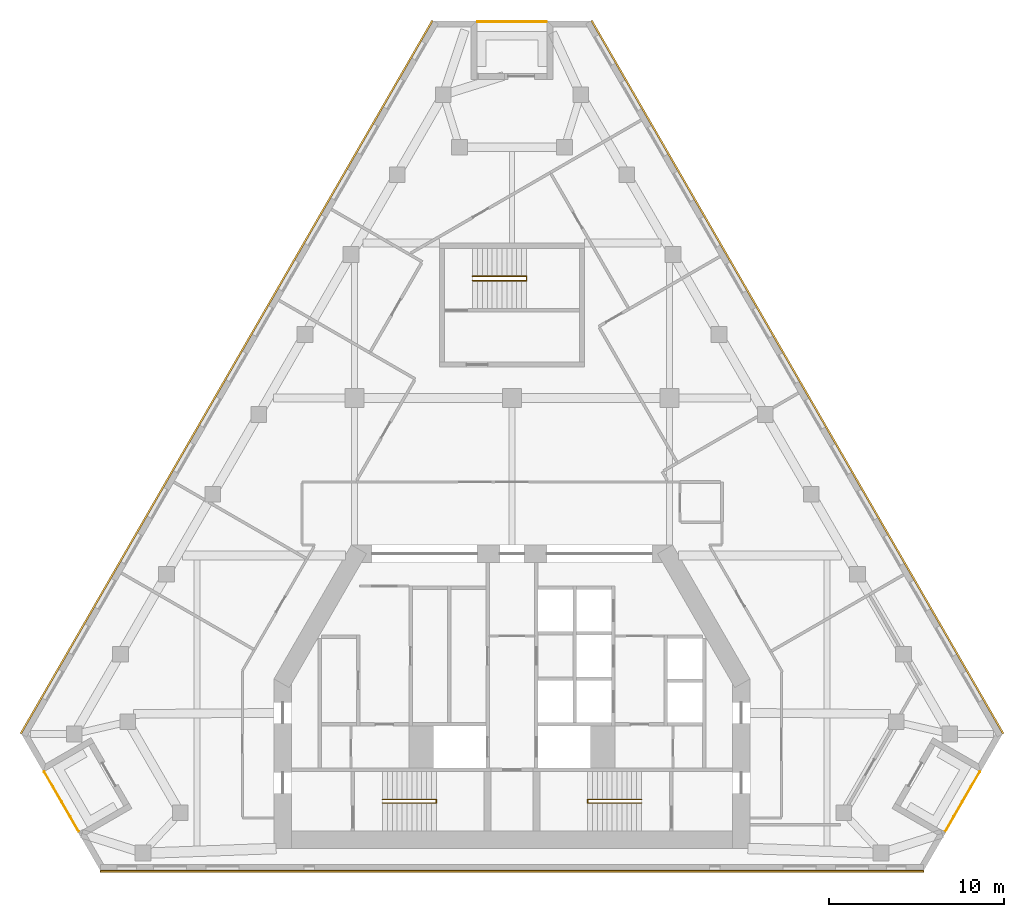
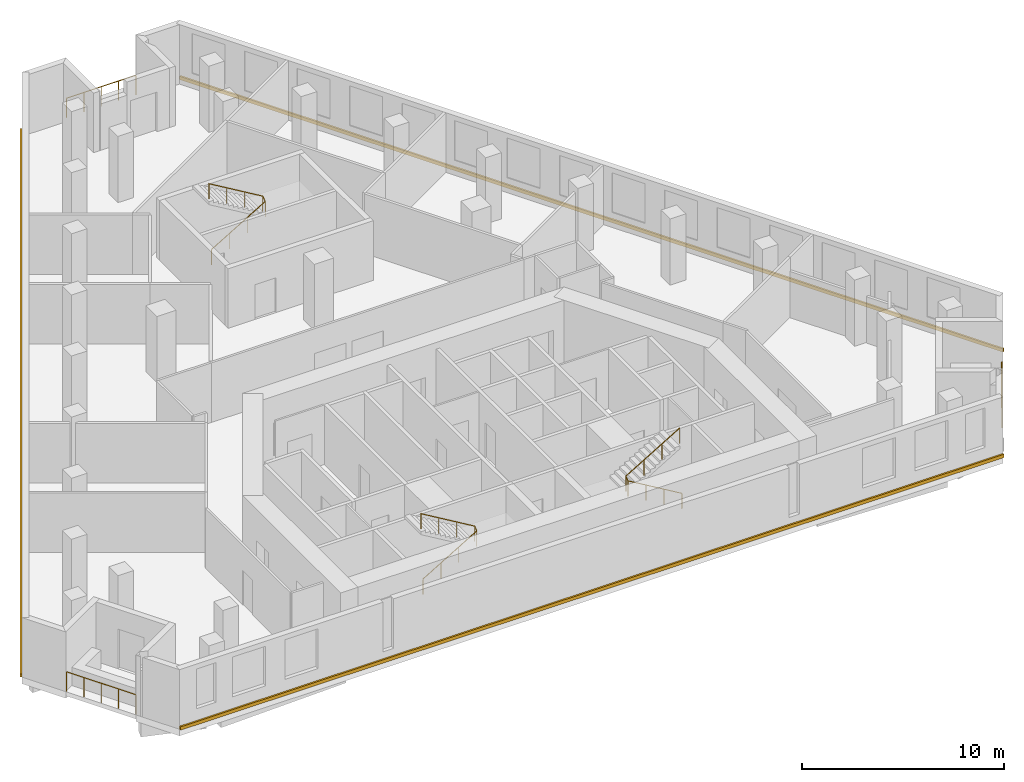
# One storey, part 9 of 9: 6 railings, 3 coverings.
"""IFC4 building model written with IfcOpenShell, lengths in metres."""

from ifc_helpers import new_model, si_unit, direction, frame, origin, origin_2d, place, context, subcontext, project, spatial, polyline, circle, outline, extrude, material, type_object, element, save


model = new_model("IFC4")

# Units and contexts
model_context = context("Model", 3, precision=1e-05, world=origin(), true_north=direction((0.0, 1.0)))
body_context = subcontext(model_context, "Body", "Model", "MODEL_VIEW")
ifc_project = project(units=[si_unit("LENGTHUNIT", "METRE"), si_unit("AREAUNIT", "SQUARE_METRE"), si_unit("VOLUMEUNIT", "CUBIC_METRE"), si_unit("PLANEANGLEUNIT", "RADIAN"), si_unit("MASSUNIT", "GRAM", prefix="KILO")], contexts=[model_context])

# Site, building, storey
site_placement = place(None, origin())
site = spatial("IfcSite", under=ifc_project, at=site_placement, CompositionType="ELEMENT")
building_placement = place(site_placement, origin())
building = spatial("IfcBuilding", under=site, at=building_placement, Name="Fogline Exchange Tower", CompositionType="ELEMENT")
storey_placement = place(building_placement, frame((0.0, 0.0, 182.10009765625)))
storey = spatial("IfcBuildingStorey", under=building, at=storey_placement, Name="L40", CompositionType="ELEMENT", Elevation=182.10009765625)

# Railings
ifc_material_1 = material(Name="Stainless steel 304", Category="steel")
railing_type_1 = type_object("IfcRailingType", Name="G1", PredefinedType="GUARDRAIL", material=ifc_material_1)
railing_1_placement = place(storey_placement, frame((-26.7275390625, 5.635986328125, 0.0)))
element("IfcRailing", 1, at=railing_1_placement, inside=storey, type_object=railing_type_1, Name="Balcony guard L40 SW", PredefinedType="GUARDRAIL", context=body_context, shape_type="SweptSolid", body=[
    extrude(circle(Radius=0.02392578125, at=origin_2d()), frame((0.0, 0.0, 1.17578125), z_axis=(0.500000102728, -0.866025344474, 0.0), x_axis=(0.866025344474, 0.500000102728, 0.0)), (0.0, 0.0, 1.0), 3.9580078125),
    extrude(circle(Radius=0.02099609375, at=origin_2d()), origin(), (0.0, 0.0, 1.0), 1.15185546875),
    extrude(circle(Radius=0.02099609375, at=origin_2d()), frame((0.49462890625, -0.85693359375, 0.0)), (0.0, 0.0, 1.0), 1.15185546875),
    extrude(circle(Radius=0.02099609375, at=origin_2d()), frame((0.989501953125, -1.7138671875, 0.0)), (0.0, 0.0, 1.0), 1.15185546875),
    extrude(circle(Radius=0.02099609375, at=origin_2d()), frame((1.484375, -2.57080078125, 0.0)), (0.0, 0.0, 1.0), 1.15185546875),
    extrude(circle(Radius=0.02099609375, at=origin_2d()), frame((1.97900390625, -3.427734375, 0.0)), (0.0, 0.0, 1.0), 1.15185546875),
])
railing_2_placement = place(storey_placement, frame((24.74853515625, 2.208251953125, 0.0)))
element("IfcRailing", 2, at=railing_2_placement, inside=storey, type_object=railing_type_1, Name="Balcony guard L40 SE", PredefinedType="GUARDRAIL", context=body_context, shape_type="SweptSolid", body=[
    extrude(circle(Radius=0.02392578125, at=origin_2d()), frame((0.0, 0.0, 1.17578125), z_axis=(0.500000102728, 0.866025344474, 0.0), x_axis=(-0.866025344474, 0.500000102728, 0.0)), (0.0, 0.0, 1.0), 3.9580078125),
    extrude(circle(Radius=0.02099609375, at=origin_2d()), origin(), (0.0, 0.0, 1.0), 1.15185546875),
    extrude(circle(Radius=0.02099609375, at=origin_2d()), frame((0.49462890625, 0.85693359375, 0.0)), (0.0, 0.0, 1.0), 1.15185546875),
    extrude(circle(Radius=0.02099609375, at=origin_2d()), frame((0.989501953125, 1.7138671875, 0.0)), (0.0, 0.0, 1.0), 1.15185546875),
    extrude(circle(Radius=0.02099609375, at=origin_2d()), frame((1.484375, 2.57080078125, 0.0)), (0.0, 0.0, 1.0), 1.15185546875),
    extrude(circle(Radius=0.02099609375, at=origin_2d()), frame((1.97900390625, 3.427734375, 0.0)), (0.0, 0.0, 1.0), 1.15185546875),
])
railing_3_placement = place(storey_placement, frame((1.97900390625, 48.501708984375, 0.0)))
element("IfcRailing", 3, at=railing_3_placement, inside=storey, type_object=railing_type_1, Name="Balcony guard L40 N", PredefinedType="GUARDRAIL", context=body_context, shape_type="SweptSolid", body=[
    extrude(circle(Radius=0.02392578125, at=origin_2d()), frame((0.0, 0.0, 1.17578125), z_axis=(-1.0, 0.0, 0.0), x_axis=(0.0, -1.0, 0.0)), (0.0, 0.0, 1.0), 3.9580078125),
    extrude(circle(Radius=0.02099609375, at=origin_2d()), origin(), (0.0, 0.0, 1.0), 1.15185546875),
    extrude(circle(Radius=0.02099609375, at=origin_2d()), frame((-0.989501953125, 0.0, 0.0)), (0.0, 0.0, 1.0), 1.15185546875),
    extrude(circle(Radius=0.02099609375, at=origin_2d()), frame((-1.97900390625, 0.0, 0.0)), (0.0, 0.0, 1.0), 1.15185546875),
    extrude(circle(Radius=0.02099609375, at=origin_2d()), frame((-2.968505859375, 0.0, 0.0)), (0.0, 0.0, 1.0), 1.15185546875),
    extrude(circle(Radius=0.02099609375, at=origin_2d()), frame((-3.9580078125, 0.0, 0.0)), (0.0, 0.0, 1.0), 1.15185546875),
])
ifc_material_2 = material(Name="Steel Q235B", Category="steel")
railing_type_2 = type_object("IfcRailingType", Name="RL-HR", PredefinedType="HANDRAIL", material=ifc_material_2)
railing_4_placement = place(storey_placement, frame((-7.39990234375, 3.85009765625, 0.16650390625)))
element("IfcRailing", 4, at=railing_4_placement, inside=storey, type_object=railing_type_2, Name="Handrail ST1", PredefinedType="HANDRAIL", context=body_context, shape_type="SweptSolid", body=[
    extrude(circle(Radius=0.02392578125, at=origin_2d()), frame((0.0, 0.0, 0.92578125), z_axis=(0.859260807169, 0.0, 0.511537745687), x_axis=(0.0, 1.0, 0.0)), (0.0, 0.0, 1.0), 3.584228515625),
    extrude(circle(Radius=0.02392578125, at=origin_2d()), frame((3.079833984375, 0.0, 2.75927734375), z_axis=(0.0, 0.768451954486, 0.639907488351), x_axis=(-1.0, 0.0, 0.0)), (0.0, 0.0, 1.0), 0.26025390625),
    extrude(circle(Radius=0.02392578125, at=origin_2d()), frame((3.079833984375, 0.199951171875, 2.92578125), z_axis=(-0.859260807169, 0.0, 0.511537745687), x_axis=(0.0, -1.0, 0.0)), (0.0, 0.0, 1.0), 3.584228515625),
    extrude(circle(Radius=0.02099609375, at=origin_2d()), origin(), (0.0, 0.0, 1.0), 0.90185546875),
    extrude(circle(Radius=0.02099609375, at=origin_2d()), frame((1.026611328125, 0.0, 0.611083984375)), (0.0, 0.0, 1.0), 0.90185546875),
    extrude(circle(Radius=0.02099609375, at=origin_2d()), frame((2.05322265625, 0.0, 1.222412109375)), (0.0, 0.0, 1.0), 0.90185546875),
    extrude(circle(Radius=0.02099609375, at=origin_2d()), frame((3.079833984375, 0.0, 1.83349609375)), (0.0, 0.0, 1.0), 0.90185546875),
    extrude(circle(Radius=0.02099609375, at=origin_2d()), frame((3.079833984375, 0.199951171875, 2.0)), (0.0, 0.0, 1.0), 0.90185546875),
    extrude(circle(Radius=0.02099609375, at=origin_2d()), frame((2.05322265625, 0.199951171875, 2.611083984375)), (0.0, 0.0, 1.0), 0.90185546875),
    extrude(circle(Radius=0.02099609375, at=origin_2d()), frame((1.026611328125, 0.199951171875, 3.222412109375)), (0.0, 0.0, 1.0), 0.90185546875),
    extrude(circle(Radius=0.02099609375, at=origin_2d()), frame((0.0, 0.199951171875, 3.83349609375)), (0.0, 0.0, 1.0), 0.90185546875),
])
railing_5_placement = place(storey_placement, frame((7.39990234375, 3.85009765625, 0.16650390625)))
element("IfcRailing", 5, at=railing_5_placement, inside=storey, type_object=railing_type_2, Name="Handrail ST2", PredefinedType="HANDRAIL", context=body_context, shape_type="SweptSolid", body=[
    extrude(circle(Radius=0.02392578125, at=origin_2d()), frame((0.0, 0.0, 0.92578125), z_axis=(-0.859260807169, 0.0, 0.511537745687), x_axis=(0.0, -1.0, 0.0)), (0.0, 0.0, 1.0), 3.584228515625),
    extrude(circle(Radius=0.02392578125, at=origin_2d()), frame((-3.079833984375, 0.0, 2.75927734375), z_axis=(0.0, 0.768451954486, 0.639907488351), x_axis=(-1.0, 0.0, 0.0)), (0.0, 0.0, 1.0), 0.26025390625),
    extrude(circle(Radius=0.02392578125, at=origin_2d()), frame((-3.079833984375, 0.199951171875, 2.92578125), z_axis=(0.859260807169, 0.0, 0.511537745687), x_axis=(0.0, 1.0, 0.0)), (0.0, 0.0, 1.0), 3.584228515625),
    extrude(circle(Radius=0.02099609375, at=origin_2d()), origin(), (0.0, 0.0, 1.0), 0.90185546875),
    extrude(circle(Radius=0.02099609375, at=origin_2d()), frame((-1.026611328125, 0.0, 0.611083984375)), (0.0, 0.0, 1.0), 0.90185546875),
    extrude(circle(Radius=0.02099609375, at=origin_2d()), frame((-2.05322265625, 0.0, 1.222412109375)), (0.0, 0.0, 1.0), 0.90185546875),
    extrude(circle(Radius=0.02099609375, at=origin_2d()), frame((-3.079833984375, 0.0, 1.83349609375)), (0.0, 0.0, 1.0), 0.90185546875),
    extrude(circle(Radius=0.02099609375, at=origin_2d()), frame((-3.079833984375, 0.199951171875, 2.0)), (0.0, 0.0, 1.0), 0.90185546875),
    extrude(circle(Radius=0.02099609375, at=origin_2d()), frame((-2.05322265625, 0.199951171875, 2.611083984375)), (0.0, 0.0, 1.0), 0.90185546875),
    extrude(circle(Radius=0.02099609375, at=origin_2d()), frame((-1.026611328125, 0.199951171875, 3.222412109375)), (0.0, 0.0, 1.0), 0.90185546875),
    extrude(circle(Radius=0.02099609375, at=origin_2d()), frame((0.0, 0.199951171875, 3.83349609375)), (0.0, 0.0, 1.0), 0.90185546875),
])
railing_6_placement = place(storey_placement, frame((-2.25, 33.70703125, 0.16650390625)))
element("IfcRailing", 6, at=railing_6_placement, inside=storey, type_object=railing_type_2, Name="Handrail ST3", PredefinedType="HANDRAIL", context=body_context, shape_type="SweptSolid", body=[
    extrude(circle(Radius=0.02392578125, at=origin_2d()), frame((0.0, 0.0, 0.92578125), z_axis=(0.85927862911, 0.0, 0.511507807912), x_axis=(0.0, 1.0, 0.0)), (0.0, 0.0, 1.0), 3.58447265625),
    extrude(circle(Radius=0.02392578125, at=origin_2d()), frame((3.080078125, 0.0, 2.75927734375), z_axis=(0.0, 0.832300300006, 0.554325004496), x_axis=(-1.0, 0.0, 0.0)), (0.0, 0.0, 1.0), 0.30029296875),
    extrude(circle(Radius=0.02392578125, at=origin_2d()), frame((3.080078125, 0.25, 2.92578125), z_axis=(-0.85927862911, 0.0, 0.511507807912), x_axis=(0.0, -1.0, 0.0)), (0.0, 0.0, 1.0), 3.58447265625),
    extrude(circle(Radius=0.02099609375, at=origin_2d()), origin(), (0.0, 0.0, 1.0), 0.90185546875),
    extrude(circle(Radius=0.02099609375, at=origin_2d()), frame((1.026611328125, 0.0, 0.611083984375)), (0.0, 0.0, 1.0), 0.90185546875),
    extrude(circle(Radius=0.02099609375, at=origin_2d()), frame((2.053466796875, 0.0, 1.222412109375)), (0.0, 0.0, 1.0), 0.90185546875),
    extrude(circle(Radius=0.02099609375, at=origin_2d()), frame((3.080078125, 0.0, 1.83349609375)), (0.0, 0.0, 1.0), 0.90185546875),
    extrude(circle(Radius=0.02099609375, at=origin_2d()), frame((3.080078125, 0.25, 2.0)), (0.0, 0.0, 1.0), 0.90185546875),
    extrude(circle(Radius=0.02099609375, at=origin_2d()), frame((2.053466796875, 0.25, 2.611083984375)), (0.0, 0.0, 1.0), 0.90185546875),
    extrude(circle(Radius=0.02099609375, at=origin_2d()), frame((1.026611328125, 0.25, 3.222412109375)), (0.0, 0.0, 1.0), 0.90185546875),
    extrude(circle(Radius=0.02099609375, at=origin_2d()), frame((0.0, 0.25, 3.83349609375)), (0.0, 0.0, 1.0), 0.90185546875),
])

# Coverings
ifc_material_3 = material(Name="Brick masonry", Category="masonry")
covering_type = type_object("IfcCoveringType", Name="SB1", PredefinedType="CLADDING", material=ifc_material_3)
covering_1_placement = place(storey_placement, origin())
element("IfcCovering", 7, at=covering_1_placement, inside=storey, type_object=covering_type, Name="Stringcourse band L40 S", PredefinedType="CLADDING", context=body_context, shape_type="SweptSolid", body=[
    extrude(outline(polyline([(-23.53125, 0.0), (-23.53125, -0.10009765625), (23.53125, -0.10009765625), (23.53125, 0.0), (-23.53125, 0.0)])), origin(), (0.0, 0.0, 1.0), 0.199951171875),
])
covering_2_placement = place(storey_placement, origin())
element("IfcCovering", 8, at=covering_2_placement, inside=storey, type_object=covering_type, Name="Stringcourse band L40 E", PredefinedType="CLADDING", context=body_context, shape_type="SweptSolid", body=[
    extrude(outline(polyline([(28.03125, 7.794189453125), (28.117919921875, 7.84423828125), (4.586669921875, 48.601806640625), (4.5, 48.5517578125), (28.03125, 7.794189453125)])), origin(), (0.0, 0.0, 1.0), 0.199951171875),
])
covering_3_placement = place(storey_placement, origin())
element("IfcCovering", 9, at=covering_3_placement, inside=storey, type_object=covering_type, Name="Stringcourse band L40 W", PredefinedType="CLADDING", context=body_context, shape_type="SweptSolid", body=[
    extrude(outline(polyline([(-4.5, 48.5517578125), (-4.586669921875, 48.601806640625), (-28.117919921875, 7.84423828125), (-28.03125, 7.794189453125), (-4.5, 48.5517578125)])), origin(), (0.0, 0.0, 1.0), 0.199951171875),
])

save(model, "model.ifc")
